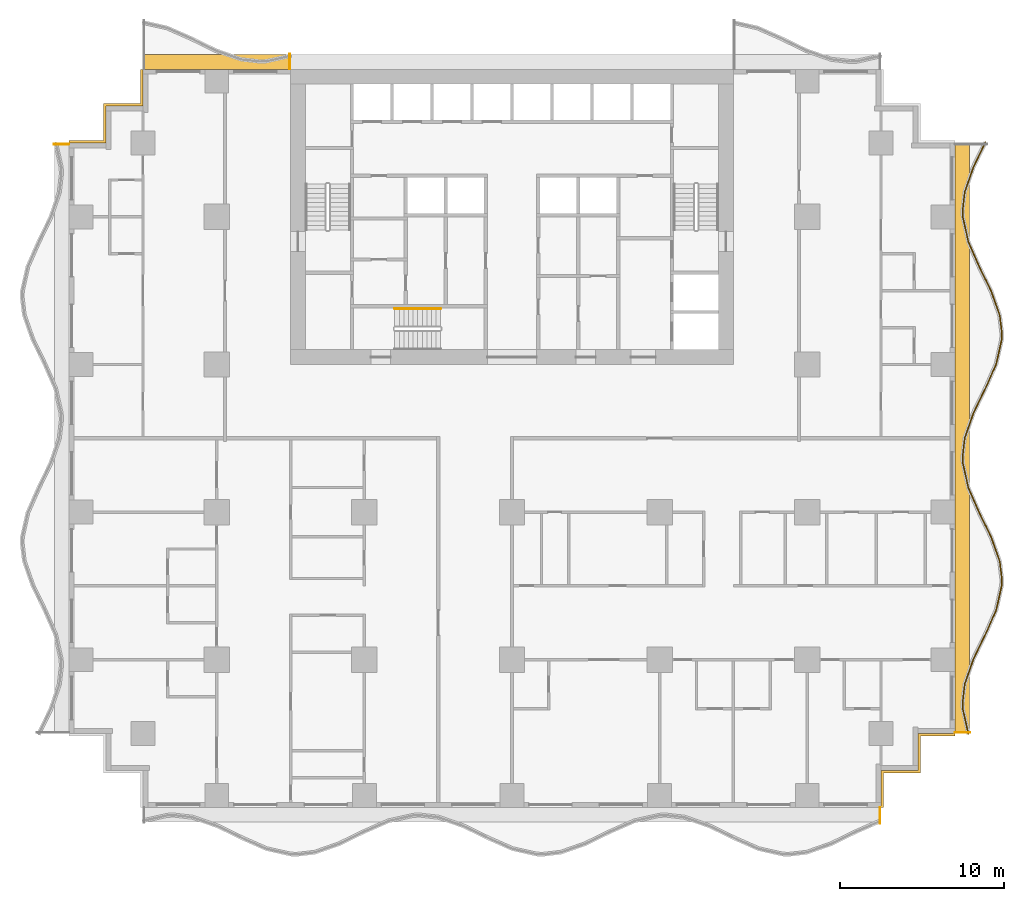
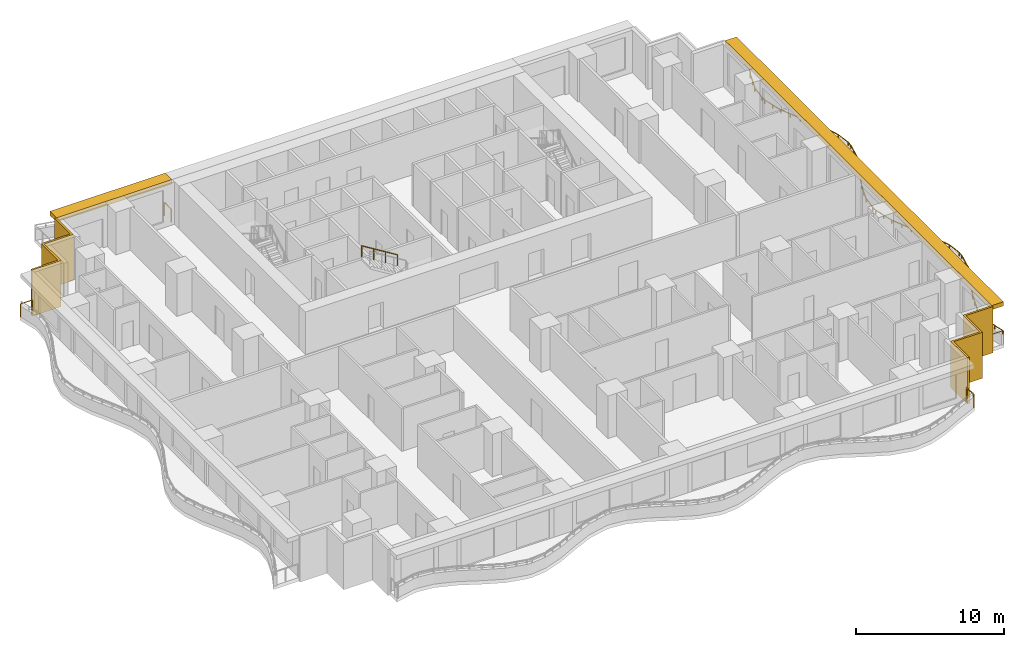
# One storey, part 11 of 14: 6 railings, 4 shading devices.
"""IFC4 building model written with IfcOpenShell, lengths in metres."""

from ifc_helpers import new_model, si_unit, direction, frame, origin, origin_2d, place, context, subcontext, project, spatial, polyline, rectangle, circle, outline, extrude, material, layer, layer_set, type_object, element, save


model = new_model("IFC4")

# Units and contexts
model_context = context("Model", 3, precision=1e-05, world=origin(), true_north=direction((0.0, 1.0)))
body_context = subcontext(model_context, "Body", "Model", "MODEL_VIEW")
ifc_project = project(units=[si_unit("LENGTHUNIT", "METRE"), si_unit("AREAUNIT", "SQUARE_METRE"), si_unit("VOLUMEUNIT", "CUBIC_METRE"), si_unit("PLANEANGLEUNIT", "RADIAN"), si_unit("MASSUNIT", "GRAM", prefix="KILO")], contexts=[model_context])

# Site, building, storey
site_placement = place(None, origin())
site = spatial("IfcSite", under=ifc_project, at=site_placement, CompositionType="ELEMENT")
building_placement = place(site_placement, origin())
building = spatial("IfcBuilding", under=site, at=building_placement, Name="Orbiselva Terraces", CompositionType="ELEMENT")
storey_placement = place(building_placement, frame((0.0, 0.0, 34.0)))
storey = spatial("IfcBuildingStorey", under=building, at=storey_placement, Name="L08", CompositionType="ELEMENT", Elevation=34.0)

# Railings
ifc_material_1 = material(Name="Stainless steel", Category="steel")
railing_type_1 = type_object("IfcRailingType", Name="CORE-HANDRAIL-900", PredefinedType="HANDRAIL", material=ifc_material_1)
railing_1_placement = place(storey_placement, frame((-4.35, 7.9, 2.072727)))
element("IfcRailing", 1, at=railing_1_placement, inside=storey, type_object=railing_type_1, Name="L08 S3 stair handrail 2", PredefinedType="HANDRAIL", context=body_context, shape_type="SweptSolid", body=[
    extrude(circle(Radius=0.024, at=origin_2d()), frame((0.0, 0.0, 0.876), z_axis=(-0.851088519012, 0.0, 0.52502222125), x_axis=(0.0, -1.0, 0.0)), (0.0, 0.0, 1.0), 3.289905),
    extrude(circle(Radius=0.021, at=origin_2d()), origin(), (0.0, 0.0, 1.0), 0.852),
    extrude(circle(Radius=0.021, at=origin_2d()), frame((-0.933333, 0.0, 0.575758)), (0.0, 0.0, 1.0), 0.852),
    extrude(circle(Radius=0.021, at=origin_2d()), frame((-1.866667, 0.0, 1.151515)), (0.0, 0.0, 1.0), 0.852),
    extrude(circle(Radius=0.021, at=origin_2d()), frame((-2.8, 0.0, 1.727273)), (0.0, 0.0, 1.0), 0.852),
])
ifc_material_2 = material(Name="Bonded two-ply safety glass balustrade, stainless steel posts", Category="steel")
railing_type_2 = type_object("IfcRailingType", Name="ENV-BALUSTRADE-1200", PredefinedType="BALUSTRADE", material=ifc_material_2)
railing_2_placement = place(storey_placement, frame((27.829507, -18.027377, 0.9)))
element("IfcRailing", 2, at=railing_2_placement, inside=storey, type_object=railing_type_2, Name="Balcony balustrade L08 E", PredefinedType="BALUSTRADE", context=body_context, shape_type="SweptSolid", body=[
    extrude(outline(polyline([(0.028868, 0.0), (0.014434, 0.025), (-0.014434, 0.025), (-0.028868, 0.0), (-0.014434, -0.025), (0.014434, -0.025), (0.028868, 0.0)])), frame((0.0, 0.0, 0.275), z_axis=(-0.219015484484, 0.97572138316, 0.0), x_axis=(-0.97572138316, -0.219015484484, 0.0)), (0.0, 0.0, 1.0), 1.548694),
    extrude(outline(polyline([(0.028868, 0.0), (0.014434, 0.025), (-0.014434, 0.025), (-0.028868, 0.0), (-0.014434, -0.025), (0.014434, -0.025), (0.028868, 0.0)])), frame((-0.339188, 1.511094, 0.275), z_axis=(-0.03936915532, 0.999224734286, 0.0), x_axis=(-0.999224734286, -0.03936915532, 0.0)), (0.0, 0.0, 1.0), 0.396376),
    extrude(outline(polyline([(0.028868, 0.0), (0.014434, 0.025), (-0.014434, 0.025), (-0.028868, 0.0), (-0.014434, -0.025), (0.014434, -0.025), (0.028868, 0.0)])), frame((-0.354793, 1.907163, 0.275), z_axis=(0.115482182324, 0.993309551734, 0.0), x_axis=(-0.993309551734, 0.115482182324, 0.0)), (0.0, 0.0, 1.0), 1.156135),
    extrude(outline(polyline([(0.028868, 0.0), (0.014434, 0.025), (-0.014434, 0.025), (-0.028868, 0.0), (-0.014434, -0.025), (0.014434, -0.025), (0.028868, 0.0)])), frame((-0.22128, 3.055563, 0.275), z_axis=(0.330024597479, 0.943972332783, 0.0), x_axis=(-0.943972332783, 0.330024597479, 0.0)), (0.0, 0.0, 1.0), 1.610253),
    extrude(outline(polyline([(0.028868, 0.0), (0.014434, 0.025), (-0.014434, 0.025), (-0.028868, 0.0), (-0.014434, -0.025), (0.014434, -0.025), (0.028868, 0.0)])), frame((0.310143, 4.575597, 0.275), z_axis=(0.438812048596, 0.898578870221, 0.0), x_axis=(-0.898578870221, 0.438812048596, 0.0)), (0.0, 0.0, 1.0), 1.674225),
    extrude(outline(polyline([(0.028868, 0.0), (0.014434, 0.025), (-0.014434, 0.025), (-0.028868, 0.0), (-0.014434, -0.025), (0.014434, -0.025), (0.028868, 0.0)])), frame((1.044813, 6.08002, 0.275), z_axis=(0.403151245402, 0.915133363686, 0.0), x_axis=(-0.915133363686, 0.403151245402, 0.0)), (0.0, 0.0, 1.0), 1.624475),
    extrude(outline(polyline([(0.028868, 0.0), (0.014434, 0.025), (-0.014434, 0.025), (-0.028868, 0.0), (-0.014434, -0.025), (0.014434, -0.025), (0.028868, 0.0)])), frame((1.699722, 7.566631, 0.275), z_axis=(0.219015740235, 0.975721325753, 0.0), x_axis=(-0.975721325753, 0.219015740235, 0.0)), (0.0, 0.0, 1.0), 1.513782),
    extrude(outline(polyline([(0.028868, 0.0), (0.014434, 0.025), (-0.014434, 0.025), (-0.028868, 0.0), (-0.014434, -0.025), (0.014434, -0.025), (0.028868, 0.0)])), frame((2.031264, 9.04366, 0.275), z_axis=(0.039364150694, 0.999224931454, 0.0), x_axis=(-0.999224931454, 0.039364150694, 0.0)), (0.0, 0.0, 1.0), 0.354206),
    extrude(outline(polyline([(0.028868, 0.0), (0.014434, 0.025), (-0.014434, 0.025), (-0.028868, 0.0), (-0.014434, -0.025), (0.014434, -0.025), (0.028868, 0.0)])), frame((2.045207, 9.397591, 0.275), z_axis=(-0.115481264762, 0.993309658409, 0.0), x_axis=(-0.993309658409, -0.115481264762, 0.0)), (0.0, 0.0, 1.0), 1.10902),
    extrude(outline(polyline([(0.028868, 0.0), (0.014434, 0.025), (-0.014434, 0.025), (-0.028868, 0.0), (-0.014434, -0.025), (0.014434, -0.025), (0.028868, 0.0)])), frame((1.917136, 10.499191, 0.275), z_axis=(-0.330024754707, 0.943972277814, 0.0), x_axis=(-0.943972277814, -0.330024754707, 0.0)), (0.0, 0.0, 1.0), 1.567807),
    extrude(outline(polyline([(0.028868, 0.0), (0.014434, 0.025), (-0.014434, 0.025), (-0.028868, 0.0), (-0.014434, -0.025), (0.014434, -0.025), (0.028868, 0.0)])), frame((1.399721, 11.979157, 0.275), z_axis=(-0.438811978768, 0.89857890432, 0.0), x_axis=(-0.89857890432, -0.438811978768, 0.0)), (0.0, 0.0, 1.0), 1.66438),
    extrude(outline(polyline([(0.028868, 0.0), (0.014434, 0.025), (-0.014434, 0.025), (-0.028868, 0.0), (-0.014434, -0.025), (0.014434, -0.025), (0.028868, 0.0)])), frame((0.669371, 13.474734, 0.275), z_axis=(-0.403150874148, 0.915133527237, 0.0), x_axis=(-0.915133527237, -0.403150874148, 0.0)), (0.0, 0.0, 1.0), 1.653736),
    extrude(outline(polyline([(0.028868, 0.0), (0.014434, 0.025), (-0.014434, 0.025), (-0.028868, 0.0), (-0.014434, -0.025), (0.014434, -0.025), (0.028868, 0.0)])), frame((0.002666, 14.988123, 0.275), z_axis=(-0.219015500924, 0.97572137947, 0.0), x_axis=(-0.97572137947, -0.219015500924, 0.0)), (0.0, 0.0, 1.0), 1.560867),
    extrude(outline(polyline([(0.028868, 0.0), (0.014434, 0.025), (-0.014434, 0.025), (-0.028868, 0.0), (-0.014434, -0.025), (0.014434, -0.025), (0.028868, 0.0)])), frame((-0.339188, 16.511094, 0.275), z_axis=(-0.03936915532, 0.999224734286, 0.0), x_axis=(-0.999224734286, -0.03936915532, 0.0)), (0.0, 0.0, 1.0), 0.396376),
    extrude(outline(polyline([(0.028868, 0.0), (0.014434, 0.025), (-0.014434, 0.025), (-0.028868, 0.0), (-0.014434, -0.025), (0.014434, -0.025), (0.028868, 0.0)])), frame((-0.354793, 16.907163, 0.275), z_axis=(0.115482182324, 0.993309551734, 0.0), x_axis=(-0.993309551734, 0.115482182324, 0.0)), (0.0, 0.0, 1.0), 1.156135),
    extrude(outline(polyline([(0.028868, 0.0), (0.014434, 0.025), (-0.014434, 0.025), (-0.028868, 0.0), (-0.014434, -0.025), (0.014434, -0.025), (0.028868, 0.0)])), frame((-0.22128, 18.055563, 0.275), z_axis=(0.330024597479, 0.943972332783, 0.0), x_axis=(-0.943972332783, 0.330024597479, 0.0)), (0.0, 0.0, 1.0), 1.610253),
    extrude(outline(polyline([(0.028868, 0.0), (0.014434, 0.025), (-0.014434, 0.025), (-0.028868, 0.0), (-0.014434, -0.025), (0.014434, -0.025), (0.028868, 0.0)])), frame((0.310143, 19.575597, 0.275), z_axis=(0.438812048596, 0.898578870221, 0.0), x_axis=(-0.898578870221, 0.438812048596, 0.0)), (0.0, 0.0, 1.0), 1.674225),
    extrude(outline(polyline([(0.028868, 0.0), (0.014434, 0.025), (-0.014434, 0.025), (-0.028868, 0.0), (-0.014434, -0.025), (0.014434, -0.025), (0.028868, 0.0)])), frame((1.044813, 21.08002, 0.275), z_axis=(0.403151245402, 0.915133363686, 0.0), x_axis=(-0.915133363686, 0.403151245402, 0.0)), (0.0, 0.0, 1.0), 1.624475),
    extrude(outline(polyline([(0.028868, 0.0), (0.014434, 0.025), (-0.014434, 0.025), (-0.028868, 0.0), (-0.014434, -0.025), (0.014434, -0.025), (0.028868, 0.0)])), frame((1.699722, 22.566631, 0.275), z_axis=(0.219015740235, 0.975721325753, 0.0), x_axis=(-0.975721325753, 0.219015740235, 0.0)), (0.0, 0.0, 1.0), 1.513782),
    extrude(outline(polyline([(0.028868, 0.0), (0.014434, 0.025), (-0.014434, 0.025), (-0.028868, 0.0), (-0.014434, -0.025), (0.014434, -0.025), (0.028868, 0.0)])), frame((2.031264, 24.04366, 0.275), z_axis=(0.039364150694, 0.999224931454, 0.0), x_axis=(-0.999224931454, 0.039364150694, 0.0)), (0.0, 0.0, 1.0), 0.354206),
    extrude(outline(polyline([(0.028868, 0.0), (0.014434, 0.025), (-0.014434, 0.025), (-0.028868, 0.0), (-0.014434, -0.025), (0.014434, -0.025), (0.028868, 0.0)])), frame((2.045207, 24.397591, 0.275), z_axis=(-0.115481264762, 0.993309658409, 0.0), x_axis=(-0.993309658409, -0.115481264762, 0.0)), (0.0, 0.0, 1.0), 1.10902),
    extrude(outline(polyline([(0.028868, 0.0), (0.014434, 0.025), (-0.014434, 0.025), (-0.028868, 0.0), (-0.014434, -0.025), (0.014434, -0.025), (0.028868, 0.0)])), frame((1.917136, 25.499191, 0.275), z_axis=(-0.330024754707, 0.943972277814, 0.0), x_axis=(-0.943972277814, -0.330024754707, 0.0)), (0.0, 0.0, 1.0), 1.567807),
    extrude(outline(polyline([(0.028868, 0.0), (0.014434, 0.025), (-0.014434, 0.025), (-0.028868, 0.0), (-0.014434, -0.025), (0.014434, -0.025), (0.028868, 0.0)])), frame((1.399721, 26.979157, 0.275), z_axis=(-0.438811978768, 0.89857890432, 0.0), x_axis=(-0.89857890432, -0.438811978768, 0.0)), (0.0, 0.0, 1.0), 1.66438),
    extrude(outline(polyline([(0.028868, 0.0), (0.014434, 0.025), (-0.014434, 0.025), (-0.028868, 0.0), (-0.014434, -0.025), (0.014434, -0.025), (0.028868, 0.0)])), frame((0.669371, 28.474734, 0.275), z_axis=(-0.403150874148, 0.915133527237, 0.0), x_axis=(-0.915133527237, -0.403150874148, 0.0)), (0.0, 0.0, 1.0), 1.653736),
    extrude(outline(polyline([(0.028868, 0.0), (0.014434, 0.025), (-0.014434, 0.025), (-0.028868, 0.0), (-0.014434, -0.025), (0.014434, -0.025), (0.028868, 0.0)])), frame((0.002666, 29.988123, 0.275), z_axis=(-0.219015500924, 0.97572137947, 0.0), x_axis=(-0.97572137947, -0.219015500924, 0.0)), (0.0, 0.0, 1.0), 1.560867),
    extrude(outline(polyline([(0.028868, 0.0), (0.014434, 0.025), (-0.014434, 0.025), (-0.028868, 0.0), (-0.014434, -0.025), (0.014434, -0.025), (0.028868, 0.0)])), frame((-0.339188, 31.511094, 0.275), z_axis=(-0.03936915532, 0.999224734286, 0.0), x_axis=(-0.999224734286, -0.03936915532, 0.0)), (0.0, 0.0, 1.0), 0.396376),
    extrude(outline(polyline([(0.028868, 0.0), (0.014434, 0.025), (-0.014434, 0.025), (-0.028868, 0.0), (-0.014434, -0.025), (0.014434, -0.025), (0.028868, 0.0)])), frame((-0.354793, 31.907163, 0.275), z_axis=(0.115482182324, 0.993309551734, 0.0), x_axis=(-0.993309551734, 0.115482182324, 0.0)), (0.0, 0.0, 1.0), 1.156135),
    extrude(outline(polyline([(0.028868, 0.0), (0.014434, 0.025), (-0.014434, 0.025), (-0.028868, 0.0), (-0.014434, -0.025), (0.014434, -0.025), (0.028868, 0.0)])), frame((-0.22128, 33.055563, 0.275), z_axis=(0.330024597479, 0.943972332783, 0.0), x_axis=(-0.943972332783, 0.330024597479, 0.0)), (0.0, 0.0, 1.0), 1.610253),
    extrude(outline(polyline([(0.028868, 0.0), (0.014434, 0.025), (-0.014434, 0.025), (-0.028868, 0.0), (-0.014434, -0.025), (0.014434, -0.025), (0.028868, 0.0)])), frame((0.310143, 34.575597, 0.275), z_axis=(0.43881217228, 0.898578809821, 0.0), x_axis=(-0.898578809821, 0.43881217228, 0.0)), (0.0, 0.0, 1.0), 1.676683),
    extrude(rectangle(XDim=0.05, YDim=0.05, at=origin_2d()), origin(), (0.0, 0.0, 1.0), 0.25),
    extrude(rectangle(XDim=0.05, YDim=0.05, at=origin_2d()), frame((-0.169594, 0.755547, 0.0)), (0.0, 0.0, 1.0), 0.25),
    extrude(rectangle(XDim=0.05, YDim=0.05, at=origin_2d()), frame((-0.339188, 1.511094, 0.0)), (0.0, 0.0, 1.0), 0.25),
    extrude(rectangle(XDim=0.05, YDim=0.05, at=origin_2d()), frame((-0.354793, 1.907163, 0.0)), (0.0, 0.0, 1.0), 0.25),
    extrude(rectangle(XDim=0.05, YDim=0.05, at=origin_2d()), frame((-0.22128, 3.055563, 0.0)), (0.0, 0.0, 1.0), 0.25),
    extrude(rectangle(XDim=0.05, YDim=0.05, at=origin_2d()), frame((0.044431, 3.81558, 0.0)), (0.0, 0.0, 1.0), 0.25),
    extrude(rectangle(XDim=0.05, YDim=0.05, at=origin_2d()), frame((0.310143, 4.575597, 0.0)), (0.0, 0.0, 1.0), 0.25),
    extrude(rectangle(XDim=0.05, YDim=0.05, at=origin_2d()), frame((0.677478, 5.327809, 0.0)), (0.0, 0.0, 1.0), 0.25),
    extrude(rectangle(XDim=0.05, YDim=0.05, at=origin_2d()), frame((1.044813, 6.08002, 0.0)), (0.0, 0.0, 1.0), 0.25),
    extrude(rectangle(XDim=0.05, YDim=0.05, at=origin_2d()), frame((1.372268, 6.823326, 0.0)), (0.0, 0.0, 1.0), 0.25),
    extrude(rectangle(XDim=0.05, YDim=0.05, at=origin_2d()), frame((1.699722, 7.566631, 0.0)), (0.0, 0.0, 1.0), 0.25),
    extrude(rectangle(XDim=0.05, YDim=0.05, at=origin_2d()), frame((1.865493, 8.305146, 0.0)), (0.0, 0.0, 1.0), 0.25),
    extrude(rectangle(XDim=0.05, YDim=0.05, at=origin_2d()), frame((2.031264, 9.04366, 0.0)), (0.0, 0.0, 1.0), 0.25),
    extrude(rectangle(XDim=0.05, YDim=0.05, at=origin_2d()), frame((2.045207, 9.397591, 0.0)), (0.0, 0.0, 1.0), 0.25),
    extrude(rectangle(XDim=0.05, YDim=0.05, at=origin_2d()), frame((1.917136, 10.499191, 0.0)), (0.0, 0.0, 1.0), 0.25),
    extrude(rectangle(XDim=0.05, YDim=0.05, at=origin_2d()), frame((1.658428, 11.239174, 0.0)), (0.0, 0.0, 1.0), 0.25),
    extrude(rectangle(XDim=0.05, YDim=0.05, at=origin_2d()), frame((1.399721, 11.979157, 0.0)), (0.0, 0.0, 1.0), 0.25),
    extrude(rectangle(XDim=0.05, YDim=0.05, at=origin_2d()), frame((1.034546, 12.726946, 0.0)), (0.0, 0.0, 1.0), 0.25),
    extrude(rectangle(XDim=0.05, YDim=0.05, at=origin_2d()), frame((0.669371, 13.474734, 0.0)), (0.0, 0.0, 1.0), 0.25),
    extrude(rectangle(XDim=0.05, YDim=0.05, at=origin_2d()), frame((0.336019, 14.231429, 0.0)), (0.0, 0.0, 1.0), 0.25),
    extrude(rectangle(XDim=0.05, YDim=0.05, at=origin_2d()), frame((0.002666, 14.988123, 0.0)), (0.0, 0.0, 1.0), 0.25),
    extrude(rectangle(XDim=0.05, YDim=0.05, at=origin_2d()), frame((-0.168261, 15.749608, 0.0)), (0.0, 0.0, 1.0), 0.25),
    extrude(rectangle(XDim=0.05, YDim=0.05, at=origin_2d()), frame((-0.339188, 16.511094, 0.0)), (0.0, 0.0, 1.0), 0.25),
    extrude(rectangle(XDim=0.05, YDim=0.05, at=origin_2d()), frame((-0.354793, 16.907163, 0.0)), (0.0, 0.0, 1.0), 0.25),
    extrude(rectangle(XDim=0.05, YDim=0.05, at=origin_2d()), frame((-0.22128, 18.055563, 0.0)), (0.0, 0.0, 1.0), 0.25),
    extrude(rectangle(XDim=0.05, YDim=0.05, at=origin_2d()), frame((0.044431, 18.81558, 0.0)), (0.0, 0.0, 1.0), 0.25),
    extrude(rectangle(XDim=0.05, YDim=0.05, at=origin_2d()), frame((0.310143, 19.575597, 0.0)), (0.0, 0.0, 1.0), 0.25),
    extrude(rectangle(XDim=0.05, YDim=0.05, at=origin_2d()), frame((0.677478, 20.327809, 0.0)), (0.0, 0.0, 1.0), 0.25),
    extrude(rectangle(XDim=0.05, YDim=0.05, at=origin_2d()), frame((1.044813, 21.08002, 0.0)), (0.0, 0.0, 1.0), 0.25),
    extrude(rectangle(XDim=0.05, YDim=0.05, at=origin_2d()), frame((1.372268, 21.823326, 0.0)), (0.0, 0.0, 1.0), 0.25),
    extrude(rectangle(XDim=0.05, YDim=0.05, at=origin_2d()), frame((1.699722, 22.566631, 0.0)), (0.0, 0.0, 1.0), 0.25),
    extrude(rectangle(XDim=0.05, YDim=0.05, at=origin_2d()), frame((1.865493, 23.305146, 0.0)), (0.0, 0.0, 1.0), 0.25),
    extrude(rectangle(XDim=0.05, YDim=0.05, at=origin_2d()), frame((2.031264, 24.04366, 0.0)), (0.0, 0.0, 1.0), 0.25),
    extrude(rectangle(XDim=0.05, YDim=0.05, at=origin_2d()), frame((2.045207, 24.397591, 0.0)), (0.0, 0.0, 1.0), 0.25),
    extrude(rectangle(XDim=0.05, YDim=0.05, at=origin_2d()), frame((1.917136, 25.499191, 0.0)), (0.0, 0.0, 1.0), 0.25),
    extrude(rectangle(XDim=0.05, YDim=0.05, at=origin_2d()), frame((1.658428, 26.239174, 0.0)), (0.0, 0.0, 1.0), 0.25),
    extrude(rectangle(XDim=0.05, YDim=0.05, at=origin_2d()), frame((1.399721, 26.979157, 0.0)), (0.0, 0.0, 1.0), 0.25),
    extrude(rectangle(XDim=0.05, YDim=0.05, at=origin_2d()), frame((1.034546, 27.726946, 0.0)), (0.0, 0.0, 1.0), 0.25),
    extrude(rectangle(XDim=0.05, YDim=0.05, at=origin_2d()), frame((0.669371, 28.474734, 0.0)), (0.0, 0.0, 1.0), 0.25),
    extrude(rectangle(XDim=0.05, YDim=0.05, at=origin_2d()), frame((0.336019, 29.231428, 0.0)), (0.0, 0.0, 1.0), 0.25),
    extrude(rectangle(XDim=0.05, YDim=0.05, at=origin_2d()), frame((0.002666, 29.988123, 0.0)), (0.0, 0.0, 1.0), 0.25),
    extrude(rectangle(XDim=0.05, YDim=0.05, at=origin_2d()), frame((-0.168261, 30.749608, 0.0)), (0.0, 0.0, 1.0), 0.25),
    extrude(rectangle(XDim=0.05, YDim=0.05, at=origin_2d()), frame((-0.339188, 31.511094, 0.0)), (0.0, 0.0, 1.0), 0.25),
    extrude(rectangle(XDim=0.05, YDim=0.05, at=origin_2d()), frame((-0.354793, 31.907163, 0.0)), (0.0, 0.0, 1.0), 0.25),
    extrude(rectangle(XDim=0.05, YDim=0.05, at=origin_2d()), frame((-0.22128, 33.055563, 0.0)), (0.0, 0.0, 1.0), 0.25),
    extrude(rectangle(XDim=0.05, YDim=0.05, at=origin_2d()), frame((0.044431, 33.81558, 0.0)), (0.0, 0.0, 1.0), 0.25),
    extrude(rectangle(XDim=0.05, YDim=0.05, at=origin_2d()), frame((0.310143, 34.575597, 0.0)), (0.0, 0.0, 1.0), 0.25),
    extrude(rectangle(XDim=0.05, YDim=0.05, at=origin_2d()), frame((0.678018, 35.328913, 0.0)), (0.0, 0.0, 1.0), 0.25),
    extrude(rectangle(XDim=0.05, YDim=0.05, at=origin_2d()), frame((1.045892, 36.082229, 0.0)), (0.0, 0.0, 1.0), 0.25),
])
ifc_material_3 = material(Name="Stainless steel rail and posts", Category="steel")
railing_type_3 = type_object("IfcRailingType", Name="ENV-GUARD-1105", PredefinedType="BALUSTRADE", material=ifc_material_3)
railing_3_placement = place(storey_placement, frame((22.44, -23.473063, 0.0)))
element("IfcRailing", 3, at=railing_3_placement, inside=storey, type_object=railing_type_3, Name="Balcony end guard L08 S", PredefinedType="BALUSTRADE", context=body_context, shape_type="SweptSolid", body=[
    extrude(outline(polyline([(0.028868, 0.0), (0.014434, 0.025), (-0.014434, 0.025), (-0.028868, 0.0), (-0.014434, -0.025), (0.014434, -0.025), (0.028868, 0.0)])), frame((0.0, 0.0, 1.08), z_axis=(0.0, 1.0, 0.0), x_axis=(-1.0, 0.0, 0.0)), (0.0, 0.0, 1.0), 0.948063),
    extrude(rectangle(XDim=0.05, YDim=0.05, at=origin_2d()), origin(), (0.0, 0.0, 1.0), 1.055),
    extrude(rectangle(XDim=0.05, YDim=0.05, at=origin_2d()), frame((0.0, 0.948063, 0.0)), (0.0, 0.0, 1.0), 1.055),
])
railing_4_placement = place(storey_placement, frame((27.930416, -17.94, 0.0)))
element("IfcRailing", 4, at=railing_4_placement, inside=storey, type_object=railing_type_3, Name="Balcony end guard L08 E", PredefinedType="BALUSTRADE", context=body_context, shape_type="SweptSolid", body=[
    extrude(outline(polyline([(0.028868, 0.0), (0.014434, 0.025), (-0.014434, 0.025), (-0.028868, 0.0), (-0.014434, -0.025), (0.014434, -0.025), (0.028868, 0.0)])), frame((0.0, 0.0, 1.08), z_axis=(-1.0, 0.0, 0.0), x_axis=(0.0, -1.0, 0.0)), (0.0, 0.0, 1.0), 0.905416),
    extrude(rectangle(XDim=0.05, YDim=0.05, at=origin_2d()), origin(), (0.0, 0.0, 1.0), 1.055),
    extrude(rectangle(XDim=0.05, YDim=0.05, at=origin_2d()), frame((-0.905416, 0.0, 0.0)), (0.0, 0.0, 1.0), 1.055),
])
railing_5_placement = place(storey_placement, frame((-13.56, 23.430416, 0.0)))
element("IfcRailing", 5, at=railing_5_placement, inside=storey, type_object=railing_type_3, Name="Balcony end guard L08 NW", PredefinedType="BALUSTRADE", context=body_context, shape_type="SweptSolid", body=[
    extrude(outline(polyline([(0.028868, 0.0), (0.014434, 0.025), (-0.014434, 0.025), (-0.028868, 0.0), (-0.014434, -0.025), (0.014434, -0.025), (0.028868, 0.0)])), frame((0.0, 0.0, 1.08), z_axis=(0.0, -1.0, 0.0), x_axis=(1.0, 0.0, 0.0)), (0.0, 0.0, 1.0), 0.905416),
    extrude(rectangle(XDim=0.05, YDim=0.05, at=origin_2d()), origin(), (0.0, 0.0, 1.0), 1.055),
    extrude(rectangle(XDim=0.05, YDim=0.05, at=origin_2d()), frame((0.0, -0.905416, 0.0)), (0.0, 0.0, 1.0), 1.055),
])
railing_6_placement = place(storey_placement, frame((-27.930416, 17.94, 0.0)))
element("IfcRailing", 6, at=railing_6_placement, inside=storey, type_object=railing_type_3, Name="Balcony end guard L08 W", PredefinedType="BALUSTRADE", context=body_context, shape_type="SweptSolid", body=[
    extrude(outline(polyline([(0.028868, 0.0), (0.014434, 0.025), (-0.014434, 0.025), (-0.028868, 0.0), (-0.014434, -0.025), (0.014434, -0.025), (0.028868, 0.0)])), frame((0.0, 0.0, 1.08), z_axis=(1.0, 0.0, 0.0), x_axis=(0.0, 1.0, 0.0)), (0.0, 0.0, 1.0), 0.905416),
    extrude(rectangle(XDim=0.05, YDim=0.05, at=origin_2d()), origin(), (0.0, 0.0, 1.0), 1.055),
    extrude(rectangle(XDim=0.05, YDim=0.05, at=origin_2d()), frame((0.905416, 0.0, 0.0)), (0.0, 0.0, 1.0), 1.055),
])

# Shading devices
ifc_material_4 = material(Name="Terracotta louvre screen", Category="masonry")
ifc_layer_1 = layer(ifc_material_4, 0.15)
ifc_layer_set_1 = layer_set([ifc_layer_1], Name="Terracotta louvre screen")
shading_device_type_1 = type_object("IfcShadingDeviceType", Name="ENV-SCREEN-150", PredefinedType="USERDEFINED", material=ifc_layer_set_1)
shading_device_1_placement = place(storey_placement, frame((0.0, 0.0, -0.3)))
element("IfcShadingDevice", 7, at=shading_device_1_placement, inside=storey, type_object=shading_device_type_1, Name="Louvre screen L08 NW", ObjectType="SCREEN", PredefinedType="USERDEFINED", context=body_context, shape_type="SweptSolid", body=[
    extrude(outline(polyline([(-22.65, 22.5), (-22.65, 20.4), (-24.9, 20.4), (-24.9, 18.15), (-27.0, 18.15), (-27.0, 18.0), (-24.75, 18.0), (-24.75, 20.25), (-22.5, 20.25), (-22.5, 22.5), (-22.65, 22.5)])), origin(), (0.0, 0.0, 1.0), 3.8),
])
shading_device_2_placement = place(storey_placement, frame((0.0, 0.0, -0.3)))
element("IfcShadingDevice", 8, at=shading_device_2_placement, inside=storey, type_object=shading_device_type_1, Name="Louvre screen L08 SE", ObjectType="SCREEN", PredefinedType="USERDEFINED", context=body_context, shape_type="SweptSolid", body=[
    extrude(outline(polyline([(22.65, -22.5), (22.65, -20.4), (24.9, -20.4), (24.9, -18.15), (27.0, -18.15), (27.0, -18.0), (24.75, -18.0), (24.75, -20.25), (22.5, -20.25), (22.5, -22.5), (22.65, -22.5)])), origin(), (0.0, 0.0, 1.0), 3.8),
])
ifc_material_5 = material(Name="Terracotta baguette sunshade", Category="masonry")
ifc_layer_2 = layer(ifc_material_5, 0.35)
ifc_layer_set_2 = layer_set([ifc_layer_2], Name="Terracotta baguette sunshade")
shading_device_type_2 = type_object("IfcShadingDeviceType", Name="ENV-SUNSHADE-900x350", PredefinedType="USERDEFINED", material=ifc_layer_set_2)
shading_device_3_placement = place(storey_placement, frame((0.0, 0.0, 3.15)))
element("IfcShadingDevice", 9, at=shading_device_3_placement, inside=storey, type_object=shading_device_type_2, Name="Sunshade band L08 E", ObjectType="SUNSHADE", PredefinedType="USERDEFINED", context=body_context, shape_type="SweptSolid", body=[
    extrude(outline(polyline([(27.9, -18.0), (27.9, 18.0), (27.0, 18.0), (27.0, -18.0), (27.9, -18.0)])), origin(), (0.0, 0.0, 1.0), 0.35),
])
shading_device_4_placement = place(storey_placement, frame((0.0, 0.0, 3.15)))
element("IfcShadingDevice", 10, at=shading_device_4_placement, inside=storey, type_object=shading_device_type_2, Name="Sunshade band L08 NW", ObjectType="SUNSHADE", PredefinedType="USERDEFINED", context=body_context, shape_type="SweptSolid", body=[
    extrude(outline(polyline([(-13.5, 23.4), (-22.5, 23.4), (-22.5, 22.5), (-13.5, 22.5), (-13.5, 23.4)])), origin(), (0.0, 0.0, 1.0), 0.35),
])

save(model, "model.ifc")
